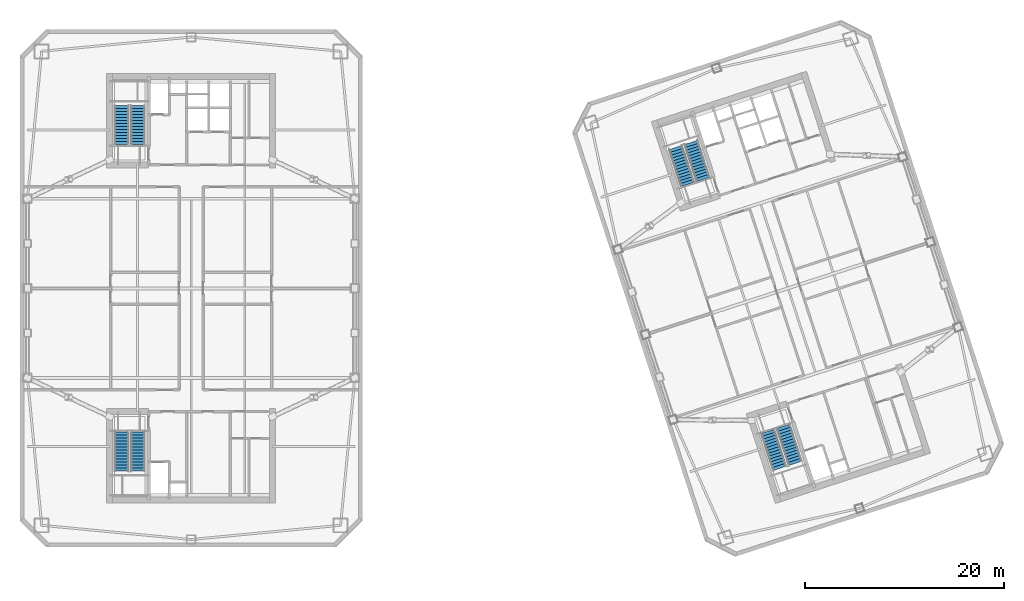
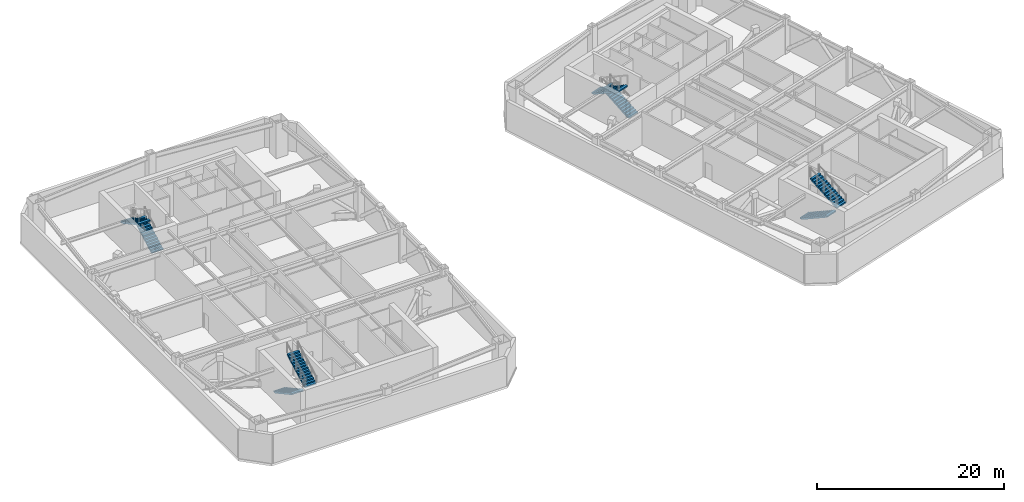
# One storey, part 15 of 17: 8 stair flights, 4 elements without a shape of their own.
"""IFC4 building model written with IfcOpenShell, lengths in metres."""

from ifc_helpers import new_model, si_unit, direction, frame, origin, place, context, subcontext, project, spatial, polyline, outline, extrude, material, type_object, element, aggregate, save


model = new_model("IFC4")

# Units and contexts
model_context = context("Model", 3, precision=1e-05, world=origin(), true_north=direction((0.0, 1.0)))
body_context = subcontext(model_context, "Body", "Model", "MODEL_VIEW")
ifc_project = project(units=[si_unit("LENGTHUNIT", "METRE"), si_unit("AREAUNIT", "SQUARE_METRE"), si_unit("VOLUMEUNIT", "CUBIC_METRE"), si_unit("PLANEANGLEUNIT", "RADIAN"), si_unit("MASSUNIT", "GRAM", prefix="KILO")], contexts=[model_context])

# Site, building, storey
site_placement = place(None, origin())
site = spatial("IfcSite", under=ifc_project, at=site_placement, CompositionType="ELEMENT")
building_placement = place(site_placement, origin())
building = spatial("IfcBuilding", under=site, at=building_placement, Name="Qiaolan Cultural Towers", CompositionType="ELEMENT")
storey_placement = place(building_placement, frame((0.0, 0.0, 184.0)))
storey = spatial("IfcBuildingStorey", under=building, at=storey_placement, Name="L49", CompositionType="ELEMENT", Elevation=184.0)

# Stair, stair flights
ifc_material_1 = material(Name="Concrete C45", Category="concrete")
stair_type = type_object("IfcStairType", Name="STR-CORE-1500", PredefinedType="HALF_TURN_STAIR", material=ifc_material_1)
stair_1_placement = place(storey_placement, origin())
stair_1 = element("IfcStair", 1, at=stair_1_placement, inside=storey, type_object=stair_type, Name="L49 Smokeproof Exit Stair ST-W1", PredefinedType="HALF_TURN_STAIR")
ifc_material_2 = material(Name="Concrete C45", Category="concrete")
stair_flight_type = type_object("IfcStairFlightType", Name="STR-CORE-1500-FL", PredefinedType="STRAIGHT", material=ifc_material_2)
stair_flight_1_placement = place(storey_placement, frame((23.02001953125, 19.550048828125, 0.0), z_axis=(0.0, 0.0, 1.0), x_axis=(0.0, -1.0, 0.0)))
stair_flight_1 = element("IfcStairFlight", 2, at=stair_flight_1_placement, type_object=stair_flight_type, Name="ST-W1 flight 1", NumberOfRisers=14, NumberOfTreads=13, PredefinedType="STRAIGHT", RiserHeight=0.164285714, TreadLength=0.3, context=body_context, shape_type="SweptSolid", body=[
    extrude(outline(polyline([(0.0, 0.0), (0.0, 0.164306640625), (0.300048828125, 0.164306640625), (0.300048828125, 0.32861328125), (0.60009765625, 0.32861328125), (0.60009765625, 0.492919921875), (0.89990234375, 0.492919921875), (0.89990234375, 0.6572265625), (1.199951171875, 0.6572265625), (1.199951171875, 0.821533203125), (1.5, 0.821533203125), (1.5, 0.985595703125), (1.800048828125, 0.985595703125), (1.800048828125, 1.14990234375), (2.10009765625, 1.14990234375), (2.10009765625, 1.314208984375), (2.39990234375, 1.314208984375), (2.39990234375, 1.478515625), (2.699951171875, 1.478515625), (2.699951171875, 1.642822265625), (3.0, 1.642822265625), (3.0, 1.80712890625), (3.300048828125, 1.80712890625), (3.300048828125, 1.971435546875), (3.60009765625, 1.971435546875), (3.60009765625, 2.1357421875), (3.89990234375, 2.1357421875), (3.89990234375, 2.300048828125), (3.89990234375, 1.96484375), (0.31201171875, 0.0), (0.0, 0.0)])), frame((0.0, 0.719970703125, 0.0), z_axis=(0.0, -1.0, 0.0), x_axis=(1.0, 0.0, 0.0)), (0.0, 0.0, 1.0), 1.43994140625),
])
stair_flight_2_placement = place(storey_placement, frame((24.659912109375, 15.64990234375, 2.300048828125), z_axis=(0.0, 0.0, 1.0), x_axis=(0.0, 1.0, 0.0)))
stair_flight_2 = element("IfcStairFlight", 3, at=stair_flight_2_placement, type_object=stair_flight_type, Name="ST-W1 flight 2", NumberOfRisers=14, NumberOfTreads=13, PredefinedType="STRAIGHT", RiserHeight=0.164285714, TreadLength=0.3, context=body_context, shape_type="SweptSolid", body=[
    extrude(outline(polyline([(0.0, 0.0), (0.0, 0.164306640625), (0.300048828125, 0.164306640625), (0.300048828125, 0.32861328125), (0.60009765625, 0.32861328125), (0.60009765625, 0.492919921875), (0.89990234375, 0.492919921875), (0.89990234375, 0.6572265625), (1.199951171875, 0.6572265625), (1.199951171875, 0.821533203125), (1.5, 0.821533203125), (1.5, 0.985595703125), (1.800048828125, 0.985595703125), (1.800048828125, 1.14990234375), (2.10009765625, 1.14990234375), (2.10009765625, 1.314208984375), (2.39990234375, 1.314208984375), (2.39990234375, 1.478515625), (2.699951171875, 1.478515625), (2.699951171875, 1.642822265625), (3.0, 1.642822265625), (3.0, 1.80712890625), (3.300048828125, 1.80712890625), (3.300048828125, 1.971435546875), (3.60009765625, 1.971435546875), (3.60009765625, 2.1357421875), (3.89990234375, 2.1357421875), (3.89990234375, 2.300048828125), (3.89990234375, 1.96484375), (0.31201171875, 0.0), (0.0, 0.0)])), frame((0.0, 0.719970703125, 0.0), z_axis=(0.0, -1.0, 0.0), x_axis=(1.0, 0.0, 0.0)), (0.0, 0.0, 1.0), 1.43994140625),
])
aggregate(stair_1, [stair_flight_1, stair_flight_2])

stair_2_placement = place(storey_placement, origin())
stair_2 = element("IfcStair", 4, at=stair_2_placement, inside=storey, type_object=stair_type, Name="L49 Smokeproof Exit Stair ST-W2", PredefinedType="HALF_TURN_STAIR")
stair_flight_3_placement = place(storey_placement, frame((24.659912109375, 48.449951171875, 0.0), z_axis=(0.0, 0.0, 1.0), x_axis=(0.0, 1.0, 0.0)))
stair_flight_3 = element("IfcStairFlight", 5, at=stair_flight_3_placement, type_object=stair_flight_type, Name="ST-W2 flight 1", NumberOfRisers=14, NumberOfTreads=13, PredefinedType="STRAIGHT", RiserHeight=0.164285714, TreadLength=0.3, context=body_context, shape_type="SweptSolid", body=[
    extrude(outline(polyline([(0.0, 0.0), (0.0, 0.164306640625), (0.300048828125, 0.164306640625), (0.300048828125, 0.32861328125), (0.60009765625, 0.32861328125), (0.60009765625, 0.492919921875), (0.89990234375, 0.492919921875), (0.89990234375, 0.6572265625), (1.199951171875, 0.6572265625), (1.199951171875, 0.821533203125), (1.5, 0.821533203125), (1.5, 0.985595703125), (1.800048828125, 0.985595703125), (1.800048828125, 1.14990234375), (2.10009765625, 1.14990234375), (2.10009765625, 1.314208984375), (2.39990234375, 1.314208984375), (2.39990234375, 1.478515625), (2.699951171875, 1.478515625), (2.699951171875, 1.642822265625), (3.0, 1.642822265625), (3.0, 1.80712890625), (3.300048828125, 1.80712890625), (3.300048828125, 1.971435546875), (3.60009765625, 1.971435546875), (3.60009765625, 2.1357421875), (3.89990234375, 2.1357421875), (3.89990234375, 2.300048828125), (3.89990234375, 1.96484375), (0.31201171875, 0.0), (0.0, 0.0)])), frame((0.0, 0.719970703125, 0.0), z_axis=(0.0, -1.0, 0.0), x_axis=(1.0, 0.0, 0.0)), (0.0, 0.0, 1.0), 1.43994140625),
])
stair_flight_4_placement = place(storey_placement, frame((23.02001953125, 52.35009765625, 2.300048828125), z_axis=(0.0, 0.0, 1.0), x_axis=(0.0, -1.0, 0.0)))
stair_flight_4 = element("IfcStairFlight", 6, at=stair_flight_4_placement, type_object=stair_flight_type, Name="ST-W2 flight 2", NumberOfRisers=14, NumberOfTreads=13, PredefinedType="STRAIGHT", RiserHeight=0.164285714, TreadLength=0.3, context=body_context, shape_type="SweptSolid", body=[
    extrude(outline(polyline([(0.0, 0.0), (0.0, 0.164306640625), (0.300048828125, 0.164306640625), (0.300048828125, 0.32861328125), (0.60009765625, 0.32861328125), (0.60009765625, 0.492919921875), (0.89990234375, 0.492919921875), (0.89990234375, 0.6572265625), (1.199951171875, 0.6572265625), (1.199951171875, 0.821533203125), (1.5, 0.821533203125), (1.5, 0.985595703125), (1.800048828125, 0.985595703125), (1.800048828125, 1.14990234375), (2.10009765625, 1.14990234375), (2.10009765625, 1.314208984375), (2.39990234375, 1.314208984375), (2.39990234375, 1.478515625), (2.699951171875, 1.478515625), (2.699951171875, 1.642822265625), (3.0, 1.642822265625), (3.0, 1.80712890625), (3.300048828125, 1.80712890625), (3.300048828125, 1.971435546875), (3.60009765625, 1.971435546875), (3.60009765625, 2.1357421875), (3.89990234375, 2.1357421875), (3.89990234375, 2.300048828125), (3.89990234375, 1.96484375), (0.31201171875, 0.0), (0.0, 0.0)])), frame((0.0, 0.719970703125, 0.0), z_axis=(0.0, -1.0, 0.0), x_axis=(1.0, 0.0, 0.0)), (0.0, 0.0, 1.0), 1.43994140625),
])
aggregate(stair_2, [stair_flight_3, stair_flight_4])

stair_3_placement = place(storey_placement, origin())
stair_3 = element("IfcStair", 7, at=stair_3_placement, inside=storey, type_object=stair_type, Name="L49 Smokeproof Exit Stair ST-E1", PredefinedType="HALF_TURN_STAIR")
stair_flight_5_placement = place(storey_placement, frame((87.96484375, 19.6171875, 0.0), z_axis=(0.0, 0.0, 1.0), x_axis=(0.309016994375, -0.951056516295, 0.0)))
stair_flight_5 = element("IfcStairFlight", 8, at=stair_flight_5_placement, type_object=stair_flight_type, Name="ST-E1 flight 1", NumberOfRisers=14, NumberOfTreads=13, PredefinedType="STRAIGHT", RiserHeight=0.164285714, TreadLength=0.3, context=body_context, shape_type="SweptSolid", body=[
    extrude(outline(polyline([(0.0, 0.0), (0.0, 0.164306640625), (0.300048828125, 0.164306640625), (0.300048828125, 0.32861328125), (0.60009765625, 0.32861328125), (0.60009765625, 0.492919921875), (0.89990234375, 0.492919921875), (0.89990234375, 0.6572265625), (1.199951171875, 0.6572265625), (1.199951171875, 0.821533203125), (1.5, 0.821533203125), (1.5, 0.985595703125), (1.800048828125, 0.985595703125), (1.800048828125, 1.14990234375), (2.10009765625, 1.14990234375), (2.10009765625, 1.314208984375), (2.39990234375, 1.314208984375), (2.39990234375, 1.478515625), (2.699951171875, 1.478515625), (2.699951171875, 1.642822265625), (3.0, 1.642822265625), (3.0, 1.80712890625), (3.300048828125, 1.80712890625), (3.300048828125, 1.971435546875), (3.60009765625, 1.971435546875), (3.60009765625, 2.1357421875), (3.89990234375, 2.1357421875), (3.89990234375, 2.300048828125), (3.89990234375, 1.96484375), (0.31201171875, 0.0), (0.0, 0.0)])), frame((0.0, 0.719970703125, 0.0), z_axis=(0.0, -1.0, 0.0), x_axis=(1.0, 0.0, 0.0)), (0.0, 0.0, 1.0), 1.43994140625),
])
stair_flight_6_placement = place(storey_placement, frame((90.729736328125, 16.414794921875, 2.300048828125), z_axis=(0.0, 0.0, 1.0), x_axis=(-0.309016994375, 0.951056516295, 0.0)))
stair_flight_6 = element("IfcStairFlight", 9, at=stair_flight_6_placement, type_object=stair_flight_type, Name="ST-E1 flight 2", NumberOfRisers=14, NumberOfTreads=13, PredefinedType="STRAIGHT", RiserHeight=0.164285714, TreadLength=0.3, context=body_context, shape_type="SweptSolid", body=[
    extrude(outline(polyline([(0.0, 0.0), (0.0, 0.164306640625), (0.300048828125, 0.164306640625), (0.300048828125, 0.32861328125), (0.60009765625, 0.32861328125), (0.60009765625, 0.492919921875), (0.89990234375, 0.492919921875), (0.89990234375, 0.6572265625), (1.199951171875, 0.6572265625), (1.199951171875, 0.821533203125), (1.5, 0.821533203125), (1.5, 0.985595703125), (1.800048828125, 0.985595703125), (1.800048828125, 1.14990234375), (2.10009765625, 1.14990234375), (2.10009765625, 1.314208984375), (2.39990234375, 1.314208984375), (2.39990234375, 1.478515625), (2.699951171875, 1.478515625), (2.699951171875, 1.642822265625), (3.0, 1.642822265625), (3.0, 1.80712890625), (3.300048828125, 1.80712890625), (3.300048828125, 1.971435546875), (3.60009765625, 1.971435546875), (3.60009765625, 2.1357421875), (3.89990234375, 2.1357421875), (3.89990234375, 2.300048828125), (3.89990234375, 1.96484375), (0.31201171875, 0.0), (0.0, 0.0)])), frame((0.0, 0.719970703125, 0.0), z_axis=(0.0, -1.0, 0.0), x_axis=(1.0, 0.0, 0.0)), (0.0, 0.0, 1.0), 1.43994140625),
])
aggregate(stair_3, [stair_flight_5, stair_flight_6])

stair_4_placement = place(storey_placement, origin())
stair_4 = element("IfcStair", 10, at=stair_4_placement, inside=storey, type_object=stair_type, Name="L49 Smokeproof Exit Stair ST-E2", PredefinedType="HALF_TURN_STAIR")
stair_flight_7_placement = place(storey_placement, frame((81.459228515625, 44.946533203125, 0.0), z_axis=(0.0, 0.0, 1.0), x_axis=(-0.309016994375, 0.951056516295, 0.0)))
stair_flight_7 = element("IfcStairFlight", 11, at=stair_flight_7_placement, type_object=stair_flight_type, Name="ST-E2 flight 1", NumberOfRisers=14, NumberOfTreads=13, PredefinedType="STRAIGHT", RiserHeight=0.164285714, TreadLength=0.3, context=body_context, shape_type="SweptSolid", body=[
    extrude(outline(polyline([(0.0, 0.0), (0.0, 0.164306640625), (0.300048828125, 0.164306640625), (0.300048828125, 0.32861328125), (0.60009765625, 0.32861328125), (0.60009765625, 0.492919921875), (0.89990234375, 0.492919921875), (0.89990234375, 0.6572265625), (1.199951171875, 0.6572265625), (1.199951171875, 0.821533203125), (1.5, 0.821533203125), (1.5, 0.985595703125), (1.800048828125, 0.985595703125), (1.800048828125, 1.14990234375), (2.10009765625, 1.14990234375), (2.10009765625, 1.314208984375), (2.39990234375, 1.314208984375), (2.39990234375, 1.478515625), (2.699951171875, 1.478515625), (2.699951171875, 1.642822265625), (3.0, 1.642822265625), (3.0, 1.80712890625), (3.300048828125, 1.80712890625), (3.300048828125, 1.971435546875), (3.60009765625, 1.971435546875), (3.60009765625, 2.1357421875), (3.89990234375, 2.1357421875), (3.89990234375, 2.300048828125), (3.89990234375, 1.96484375), (0.31201171875, 0.0), (0.0, 0.0)])), frame((0.0, 0.719970703125, 0.0), z_axis=(0.0, -1.0, 0.0), x_axis=(1.0, 0.0, 0.0)), (0.0, 0.0, 1.0), 1.43994140625),
])
stair_flight_8_placement = place(storey_placement, frame((78.6943359375, 48.14892578125, 2.300048828125), z_axis=(0.0, 0.0, 1.0), x_axis=(0.309016994375, -0.951056516295, 0.0)))
stair_flight_8 = element("IfcStairFlight", 12, at=stair_flight_8_placement, type_object=stair_flight_type, Name="ST-E2 flight 2", NumberOfRisers=14, NumberOfTreads=13, PredefinedType="STRAIGHT", RiserHeight=0.164285714, TreadLength=0.3, context=body_context, shape_type="SweptSolid", body=[
    extrude(outline(polyline([(0.0, 0.0), (0.0, 0.164306640625), (0.300048828125, 0.164306640625), (0.300048828125, 0.32861328125), (0.60009765625, 0.32861328125), (0.60009765625, 0.492919921875), (0.89990234375, 0.492919921875), (0.89990234375, 0.6572265625), (1.199951171875, 0.6572265625), (1.199951171875, 0.821533203125), (1.5, 0.821533203125), (1.5, 0.985595703125), (1.800048828125, 0.985595703125), (1.800048828125, 1.14990234375), (2.10009765625, 1.14990234375), (2.10009765625, 1.314208984375), (2.39990234375, 1.314208984375), (2.39990234375, 1.478515625), (2.699951171875, 1.478515625), (2.699951171875, 1.642822265625), (3.0, 1.642822265625), (3.0, 1.80712890625), (3.300048828125, 1.80712890625), (3.300048828125, 1.971435546875), (3.60009765625, 1.971435546875), (3.60009765625, 2.1357421875), (3.89990234375, 2.1357421875), (3.89990234375, 2.300048828125), (3.89990234375, 1.96484375), (0.31201171875, 0.0), (0.0, 0.0)])), frame((0.0, 0.719970703125, 0.0), z_axis=(0.0, -1.0, 0.0), x_axis=(1.0, 0.0, 0.0)), (0.0, 0.0, 1.0), 1.43994140625),
])
aggregate(stair_4, [stair_flight_7, stair_flight_8])

save(model, "model.ifc")
